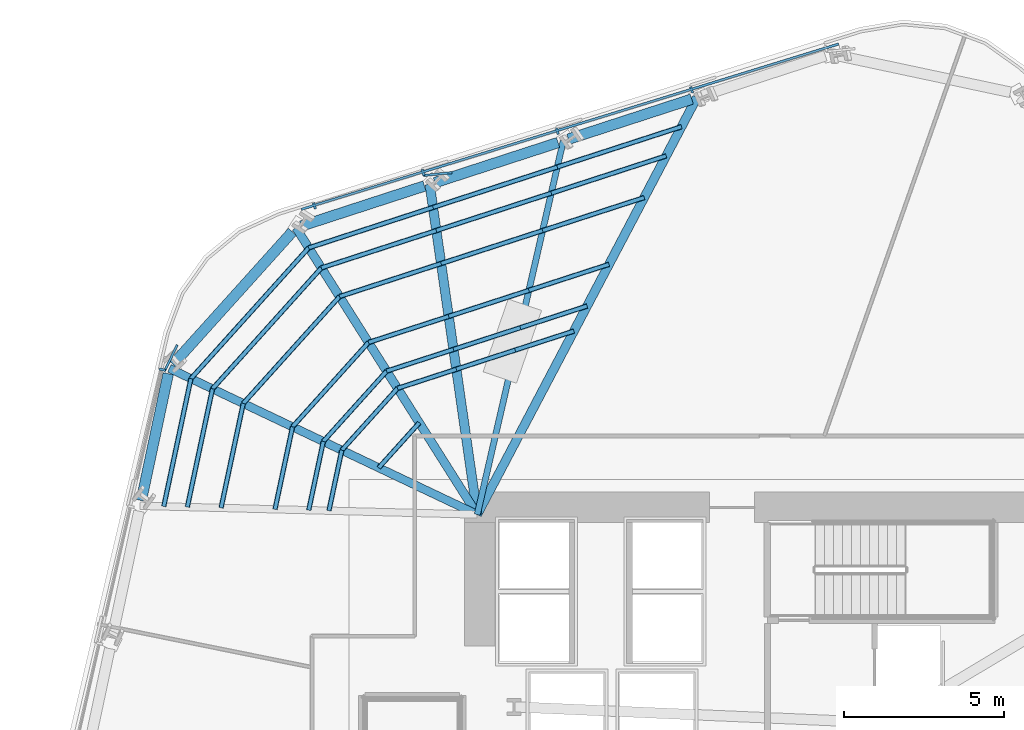
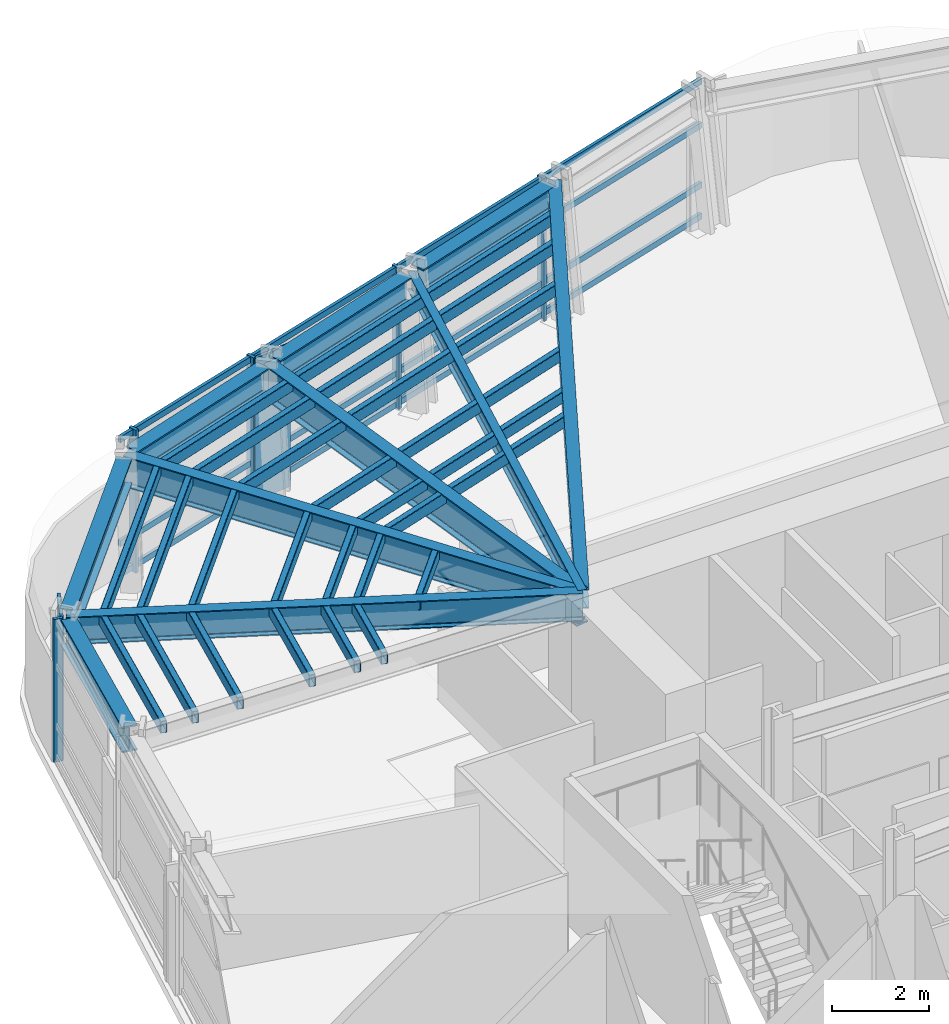
# One storey, part 6 of 16: 42 members, 10 beams, 2 elements without a shape of their own.
"""IFC4 building model written with IfcOpenShell, lengths in metres."""

from ifc_helpers import new_model, si_unit, direction, frame, origin, origin_2d, place, context, subcontext, project, spatial, rectangle, hollow_rectangle, i_section, extrude, material, layer, layer_set, material_profile, profile_set, type_object, element, aggregate, save


model = new_model("IFC4")

# Units and contexts
model_context = context("Model", 3, precision=1e-05, world=origin(), true_north=direction((0.0, 1.0)))
body_context = subcontext(model_context, "Body", "Model", "MODEL_VIEW")
ifc_project = project(units=[si_unit("LENGTHUNIT", "METRE"), si_unit("AREAUNIT", "SQUARE_METRE"), si_unit("VOLUMEUNIT", "CUBIC_METRE"), si_unit("PLANEANGLEUNIT", "RADIAN"), si_unit("MASSUNIT", "GRAM", prefix="KILO")], contexts=[model_context])

# Site, building, storey
site_placement = place(None, origin())
site = spatial("IfcSite", under=ifc_project, at=site_placement, CompositionType="ELEMENT")
building_placement = place(site_placement, origin())
building = spatial("IfcBuilding", under=site, at=building_placement, Name="Valkerne Bourse Tower", CompositionType="ELEMENT")
storey_placement = place(building_placement, frame((0.0, 0.0, 97.199951171875)))
storey = spatial("IfcBuildingStorey", under=building, at=storey_placement, Name="L24", CompositionType="ELEMENT", Elevation=97.199951171875)

# Beams
ifc_material_1 = material(Name="Steel ASTM A992", Category="steel")
ifc_material_profile_1 = material_profile(ifc_material_1, i_section(OverallWidth=0.1904296875, OverallDepth=0.457275390625, WebThickness=0.009033203125, FlangeThickness=0.014404296875, FilletRadius=0.01513671875, at=origin_2d()), Name="W18X50")
ifc_profile_set_1 = profile_set([ifc_material_profile_1], Name="Steel ASTM A992")
beam_type_1 = type_object("IfcBeamType", Name="BM-W18X50", PredefinedType="JOIST", material=ifc_profile_set_1)
beam_1_placement = place(storey_placement, frame((40.283447265625, 47.0556640625, 3.3515625), z_axis=(-0.224348144007, -0.974509061159, 0.0), x_axis=(0.974509061159, -0.224348144007, 0.0)))
element("IfcBeam", 1, at=beam_1_placement, inside=storey, type_object=beam_type_1, Name="L24 Radial Composite Floor Beam 07", PredefinedType="JOIST", context=body_context, shape_type="SweptSolid", body=[
    extrude(i_section(OverallWidth=0.1904296875, OverallDepth=0.457275390625, WebThickness=0.009033203125, FlangeThickness=0.014404296875, FilletRadius=0.01513671875, at=origin_2d()), origin(), (0.0, 0.0, 1.0), 11.960693359375),
])
ifc_material_profile_2 = material_profile(ifc_material_1, i_section(OverallWidth=0.279296875, OverallDepth=0.46240234375, WebThickness=0.0107421875, FlangeThickness=0.017333984375, FilletRadius=0.017822265625, at=origin_2d()), Name="W18X76")
ifc_profile_set_2 = profile_set([ifc_material_profile_2], Name="Steel ASTM A992")
beam_type_2 = type_object("IfcBeamType", Name="BM-W18X76", PredefinedType="BEAM", material=ifc_profile_set_2)
beam_2_placement = place(storey_placement, frame((44.451904296875, 48.409912109375, 3.348876953125), z_axis=(-0.465982505574, -0.884793933353, 0.0), x_axis=(0.884793933353, -0.465982505574, 0.0)))
element("IfcBeam", 2, at=beam_2_placement, inside=storey, type_object=beam_type_2, Name="L24 Radial Composite Floor Beam 06", PredefinedType="BEAM", context=body_context, shape_type="SweptSolid", body=[
    extrude(i_section(OverallWidth=0.279296875, OverallDepth=0.46240234375, WebThickness=0.0107421875, FlangeThickness=0.017333984375, FilletRadius=0.017822265625, at=origin_2d()), origin(), (0.0, 0.0, 1.0), 14.7041015625),
])
ifc_material_profile_3 = material_profile(ifc_material_1, i_section(OverallWidth=0.330078125, OverallDepth=0.647705078125, WebThickness=0.0205078125, FlangeThickness=0.037109375, FilletRadius=0.020263671875, at=origin_2d()), Name="W24X192")
ifc_profile_set_3 = profile_set([ifc_material_profile_3], Name="Steel ASTM A992")
beam_type_3 = type_object("IfcBeamType", Name="BM-W24X192", PredefinedType="SPANDREL", material=ifc_profile_set_3)
beam_3_placement = place(storey_placement, frame((44.290283203125, 48.357421875, 3.25634765625), z_axis=(-0.951059361148, -0.309008238681, 0.0), x_axis=(0.309008238681, -0.951059361148, 0.0)))
element("IfcBeam", 3, at=beam_3_placement, inside=storey, type_object=beam_type_3, Name="L24 Hexagonal Spandrel Ring Beam 06", PredefinedType="SPANDREL", context=body_context, shape_type="SweptSolid", body=[
    extrude(i_section(OverallWidth=0.330078125, OverallDepth=0.647705078125, WebThickness=0.0205078125, FlangeThickness=0.037109375, FilletRadius=0.020263671875, at=origin_2d()), origin(), (0.0, 0.0, 1.0), 4.042724609375),
])
beam_4_placement = place(storey_placement, frame((40.121826171875, 47.003173828125, 3.25634765625), z_axis=(-0.951041612609, -0.309062859441, 0.0), x_axis=(0.309062859441, -0.951041612609, 0.0)))
element("IfcBeam", 4, at=beam_4_placement, inside=storey, type_object=beam_type_3, Name="L24 Hexagonal Spandrel Ring Beam 07", PredefinedType="SPANDREL", context=body_context, shape_type="SweptSolid", body=[
    extrude(i_section(OverallWidth=0.330078125, OverallDepth=0.647705078125, WebThickness=0.0205078125, FlangeThickness=0.037109375, FilletRadius=0.020263671875, at=origin_2d()), origin(), (0.0, 0.0, 1.0), 4.04296875),
])
beam_5_placement = place(storey_placement, frame((35.953369140625, 45.648681640625, 3.25634765625), z_axis=(-0.951059361148, -0.309008238681, 0.0), x_axis=(0.309008238681, -0.951059361148, 0.0)))
element("IfcBeam", 5, at=beam_5_placement, inside=storey, type_object=beam_type_3, Name="L24 Hexagonal Spandrel Ring Beam 08", PredefinedType="SPANDREL", context=body_context, shape_type="SweptSolid", body=[
    extrude(i_section(OverallWidth=0.330078125, OverallDepth=0.647705078125, WebThickness=0.0205078125, FlangeThickness=0.037109375, FilletRadius=0.020263671875, at=origin_2d()), origin(), (0.0, 0.0, 1.0), 4.042724609375),
])
beam_6_placement = place(storey_placement, frame((31.832763671875, 44.220458984375, 3.25634765625), z_axis=(-0.669105316008, -0.743167596232, 0.0), x_axis=(0.743167596232, -0.669105316008, 0.0)))
element("IfcBeam", 6, at=beam_6_placement, inside=storey, type_object=beam_type_3, Name="L24 Hexagonal Spandrel Ring Beam 09", PredefinedType="SPANDREL", context=body_context, shape_type="SweptSolid", body=[
    extrude(i_section(OverallWidth=0.330078125, OverallDepth=0.647705078125, WebThickness=0.0205078125, FlangeThickness=0.037109375, FilletRadius=0.020263671875, at=origin_2d()), origin(), (0.0, 0.0, 1.0), 5.564453125),
])
beam_7_placement = place(storey_placement, frame((27.96044921875, 39.79248046875, 3.25634765625), z_axis=(-0.207969975531, -0.978135210121, 0.0), x_axis=(0.978135210121, -0.207969975531, 0.0)))
element("IfcBeam", 7, at=beam_7_placement, inside=storey, type_object=beam_type_3, Name="L24 Hexagonal Spandrel Ring Beam 10", PredefinedType="SPANDREL", context=body_context, shape_type="SweptSolid", body=[
    extrude(i_section(OverallWidth=0.330078125, OverallDepth=0.647705078125, WebThickness=0.0205078125, FlangeThickness=0.037109375, FilletRadius=0.020263671875, at=origin_2d()), origin(), (0.0, 0.0, 1.0), 4.04296875),
])
ifc_material_profile_4 = material_profile(ifc_material_1, i_section(OverallWidth=0.255859375, OverallDepth=0.693359375, WebThickness=0.014404296875, FlangeThickness=0.023681640625, FilletRadius=0.02294921875, at=origin_2d()), Name="W27X114")
ifc_profile_set_4 = profile_set([ifc_material_profile_4], Name="Steel ASTM A992")
beam_type_4 = type_object("IfcBeamType", Name="BM-W27X114", PredefinedType="BEAM", material=ifc_profile_set_4)
beam_8_placement = place(storey_placement, frame((27.99560546875, 39.958740234375, 3.2333984375), z_axis=(0.903397616332, -0.428803855866, 0.0), x_axis=(0.428803855866, 0.903397616332, 0.0)))
element("IfcBeam", 8, at=beam_8_placement, inside=storey, type_object=beam_type_4, Name="L24 Radial Composite Floor Beam 10", PredefinedType="BEAM", context=body_context, shape_type="SweptSolid", body=[
    extrude(i_section(OverallWidth=0.255859375, OverallDepth=0.693359375, WebThickness=0.014404296875, FlangeThickness=0.023681640625, FilletRadius=0.02294921875, at=origin_2d()), origin(), (0.0, 0.0, 1.0), 10.631591796875),
])
ifc_material_profile_5 = material_profile(ifc_material_1, i_section(OverallWidth=0.26806640625, OverallDepth=0.76953125, WebThickness=0.015625, FlangeThickness=0.025390625, FilletRadius=0.025390625, at=origin_2d()), Name="W30X132")
ifc_profile_set_5 = profile_set([ifc_material_profile_5], Name="Steel ASTM A992")
beam_type_5 = type_object("IfcBeamType", Name="BM-W30X132", PredefinedType="BEAM", material=ifc_profile_set_5)
beam_9_placement = place(storey_placement, frame((31.946533203125, 44.3466796875, 3.1953125), z_axis=(0.534193465342, -0.845362254649, 0.0), x_axis=(0.845362254649, 0.534193465342, 0.0)))
element("IfcBeam", 9, at=beam_9_placement, inside=storey, type_object=beam_type_5, Name="L24 Radial Composite Floor Beam 09", PredefinedType="BEAM", context=body_context, shape_type="SweptSolid", body=[
    extrude(i_section(OverallWidth=0.26806640625, OverallDepth=0.76953125, WebThickness=0.015625, FlangeThickness=0.025390625, FilletRadius=0.025390625, at=origin_2d()), origin(), (0.0, 0.0, 1.0), 10.583251953125),
])
ifc_material_profile_6 = material_profile(ifc_material_1, i_section(OverallWidth=0.2919921875, OverallDepth=0.8583984375, WebThickness=0.01708984375, FlangeThickness=0.031005859375, FilletRadius=0.025390625, at=origin_2d()), Name="W33X169")
ifc_profile_set_6 = profile_set([ifc_material_profile_6], Name="Steel ASTM A992")
beam_type_6 = type_object("IfcBeamType", Name="BM-W33X169", PredefinedType="BEAM", material=ifc_profile_set_6)
beam_10_placement = place(storey_placement, frame((36.114990234375, 45.701171875, 3.15087890625), z_axis=(0.142692168788, -0.989767116531, 0.0), x_axis=(0.989767116531, 0.142692168788, 0.0)))
element("IfcBeam", 10, at=beam_10_placement, inside=storey, type_object=beam_type_6, Name="L24 Radial Composite Floor Beam 08", PredefinedType="BEAM", context=body_context, shape_type="SweptSolid", body=[
    extrude(i_section(OverallWidth=0.2919921875, OverallDepth=0.8583984375, WebThickness=0.01708984375, FlangeThickness=0.031005859375, FilletRadius=0.025390625, at=origin_2d()), origin(), (0.0, 0.0, 1.0), 10.40771484375),
])

# Curtain wall, members
ifc_material_2 = material(Name="Aluminium AA 6063-T6", Category="aluminium")
ifc_layer = layer(ifc_material_2, 0.22998046875)
ifc_layer_set = layer_set([ifc_layer], Name="Aluminium AA 6063-T6")
curtain_wall_type = type_object("IfcCurtainWallType", Name="CW-02", PredefinedType="NOTDEFINED", material=ifc_layer_set)
curtain_wall_1_placement = place(storey_placement, origin())
curtain_wall_1 = element("IfcCurtainWall", 11, at=curtain_wall_1_placement, inside=storey, type_object=curtain_wall_type, Name="L24 Hexagonal Stick Curtain Wall Face 2", PredefinedType="NOTDEFINED")
ifc_material_profile_7 = material_profile(ifc_material_2, rectangle(XDim=0.074951171875, YDim=0.199951171875, at=origin_2d()), Name="CWM-75X200")
ifc_profile_set_7 = profile_set([ifc_material_profile_7], Name="Aluminium AA 6063-T6")
member_type_1 = type_object("IfcMemberType", Name="CW-MUL-220X75", PredefinedType="MULLION", material=ifc_profile_set_7)
member_1_placement = place(storey_placement, frame((44.287109375, 48.645751953125, 0.0), z_axis=(0.0, 0.0, 1.0), x_axis=(-0.955790847392, -0.294047370405, 0.0)))
member_1 = element("IfcMember", 12, at=member_1_placement, type_object=member_type_1, Name="CW-L24-F2 Jamb Mullion 01A", PredefinedType="MULLION", context=body_context, shape_type="SweptSolid", body=[
    extrude(rectangle(XDim=0.074951171875, YDim=0.199951171875, at=origin_2d()), origin(), (0.0, 0.0, 1.0), 3.580078125),
])
member_2_placement = place(storey_placement, frame((40.097900390625, 47.35693359375, 0.0), z_axis=(0.0, 0.0, 1.0), x_axis=(-0.95579282005, -0.294040958271, 0.0)))
member_2 = element("IfcMember", 13, at=member_2_placement, type_object=member_type_1, Name="CW-L24-F2 Jamb Mullion 02A", PredefinedType="MULLION", context=body_context, shape_type="SweptSolid", body=[
    extrude(rectangle(XDim=0.074951171875, YDim=0.199951171875, at=origin_2d()), origin(), (0.0, 0.0, 1.0), 3.580078125),
])
member_3_placement = place(storey_placement, frame((35.90869140625, 46.068115234375, 0.0), z_axis=(0.0, 0.0, 1.0), x_axis=(-0.955790847392, -0.294047370405, 0.0)))
member_3 = element("IfcMember", 14, at=member_3_placement, type_object=member_type_1, Name="CW-L24-F2 Jamb Mullion 03A", PredefinedType="MULLION", context=body_context, shape_type="SweptSolid", body=[
    extrude(rectangle(XDim=0.074951171875, YDim=0.199951171875, at=origin_2d()), origin(), (0.0, 0.0, 1.0), 3.580078125),
])
member_4_placement = place(storey_placement, frame((32.5224609375, 45.0263671875, 0.0), z_axis=(0.0, 0.0, 1.0), x_axis=(-0.955790847392, -0.294047370405, 0.0)))
member_4 = element("IfcMember", 15, at=member_4_placement, type_object=member_type_1, Name="CW-L24-F2 Jamb Mullion 03B", PredefinedType="MULLION", context=body_context, shape_type="SweptSolid", body=[
    extrude(rectangle(XDim=0.074951171875, YDim=0.199951171875, at=origin_2d()), origin(), (0.0, 0.0, 1.0), 3.580078125),
])

# Curtain wall, member
curtain_wall_2_placement = place(storey_placement, origin())
curtain_wall_2 = element("IfcCurtainWall", 16, at=curtain_wall_2_placement, inside=storey, type_object=curtain_wall_type, Name="L24 Hexagonal Stick Curtain Wall Face 3", PredefinedType="NOTDEFINED")
member_5_placement = place(storey_placement, frame((27.7763671875, 39.919189453125, 0.0), z_axis=(0.0, 0.0, 1.0), x_axis=(-0.22324789938, -0.974761701865, 0.0)))
member_5 = element("IfcMember", 17, at=member_5_placement, type_object=member_type_1, Name="CW-L24-F3 Jamb Mullion 00A", PredefinedType="MULLION", context=body_context, shape_type="SweptSolid", body=[
    extrude(rectangle(XDim=0.074951171875, YDim=0.199951171875, at=origin_2d()), origin(), (0.0, 0.0, 1.0), 3.580078125),
])
aggregate(curtain_wall_2, [member_5])

# Member
ifc_material_profile_8 = material_profile(ifc_material_2, rectangle(XDim=0.074951171875, YDim=0.14990234375, at=origin_2d()), Name="CWT-75X150")
ifc_profile_set_8 = profile_set([ifc_material_profile_8], Name="Aluminium AA 6063-T6")
member_type_2 = type_object("IfcMemberType", Name="CW-TRN-180X65", PredefinedType="USERDEFINED", material=ifc_profile_set_8)
member_6_placement = place(storey_placement, frame((48.871826171875, 50.0771484375, 0.1201171875), z_axis=(-0.95579376107, -0.294037899426, 0.0), x_axis=(0.294037899426, -0.95579376107, 0.0)))
member_6 = element("IfcMember", 18, at=member_6_placement, type_object=member_type_2, Name="CW-L24-F2 Continuous Face Transom 1", ObjectType="TRANSOM", PredefinedType="USERDEFINED", context=body_context, shape_type="SweptSolid", body=[
    extrude(rectangle(XDim=0.074951171875, YDim=0.14990234375, at=origin_2d()), origin(), (0.0, 0.0, 1.0), 17.53173828125),
])

member_7_placement = place(storey_placement, frame((48.871826171875, 50.0771484375, 0.900146484375), z_axis=(-0.95579376107, -0.294037899426, 0.0), x_axis=(0.294037899426, -0.95579376107, 0.0)))
member_7 = element("IfcMember", 19, at=member_7_placement, type_object=member_type_2, Name="CW-L24-F2 Continuous Face Transom 2", ObjectType="TRANSOM", PredefinedType="USERDEFINED", context=body_context, shape_type="SweptSolid", body=[
    extrude(rectangle(XDim=0.074951171875, YDim=0.14990234375, at=origin_2d()), origin(), (0.0, 0.0, 1.0), 17.53173828125),
])

member_8_placement = place(storey_placement, frame((48.871826171875, 50.0771484375, 2.400146484375), z_axis=(-0.95579376107, -0.294037899426, 0.0), x_axis=(0.294037899426, -0.95579376107, 0.0)))
member_8 = element("IfcMember", 20, at=member_8_placement, type_object=member_type_2, Name="CW-L24-F2 Continuous Face Transom 3", ObjectType="TRANSOM", PredefinedType="USERDEFINED", context=body_context, shape_type="SweptSolid", body=[
    extrude(rectangle(XDim=0.074951171875, YDim=0.14990234375, at=origin_2d()), origin(), (0.0, 0.0, 1.0), 17.53173828125),
])

member_9_placement = place(storey_placement, frame((48.871826171875, 50.0771484375, 3.5), z_axis=(-0.95579376107, -0.294037899426, 0.0), x_axis=(0.294037899426, -0.95579376107, 0.0)))
member_9 = element("IfcMember", 21, at=member_9_placement, type_object=member_type_2, Name="CW-L24-F2 Continuous Face Transom 4", ObjectType="TRANSOM", PredefinedType="USERDEFINED", context=body_context, shape_type="SweptSolid", body=[
    extrude(rectangle(XDim=0.074951171875, YDim=0.14990234375, at=origin_2d()), origin(), (0.0, 0.0, 1.0), 17.53173828125),
])

aggregate(curtain_wall_1, [member_6, member_7, member_8, member_9, member_1, member_2, member_3, member_4])

# Members
ifc_material_3 = material(Name="Bronze Anodised Aluminium AA 6063-T6", Category="aluminium")
ifc_material_profile_9 = material_profile(ifc_material_3, rectangle(XDim=0.070068359375, YDim=0.89990234375, at=origin_2d()), Name="FIN-70X900")
ifc_profile_set_9 = profile_set([ifc_material_profile_9], Name="Bronze Anodised Aluminium AA 6063-T6")
member_type_3 = type_object("IfcMemberType", Name="FIN-SOLAR-900", PredefinedType="USERDEFINED", material=ifc_profile_set_9)
for number, where, z_axis, x_axis, name in (
    (22, (36.363037109375, 46.01953125, 0.004150390625), (0.0, 0.0, 1.0), (-0.102875437059, 0.994694246716, 0.0), "L24 Bronze Anodised Solar Fin F2-03"),
    (23, (28.04541015625, 40.288330078125, 0.004150390625), (0.0, 0.0, 1.0), (-0.900490693256, 0.434875282535, 0.0), "L24 Bronze Anodised Solar Fin F3-00"),
):
    element("IfcMember", number, at=place(storey_placement, frame(where, z_axis=z_axis, x_axis=x_axis)), inside=storey, type_object=member_type_3, Name=name, ObjectType="SOLAR_FIN", PredefinedType="USERDEFINED", context=body_context, shape_type="SweptSolid", body=[
        extrude(rectangle(XDim=0.070068359375, YDim=0.89990234375, at=origin_2d()), origin(), (0.0, 0.0, 1.0), 3.57177734375),
    ])
ifc_material_4 = material(Name="Steel ASTM A500 Grade C", Category="steel")
ifc_material_profile_10 = material_profile(ifc_material_4, hollow_rectangle(XDim=0.14990234375, YDim=0.300048828125, WallThickness=0.012451171875, OuterFilletRadius=0.02490234375, at=origin_2d()), Name="HSS300X150X12.5")
ifc_profile_set_10 = profile_set([ifc_material_profile_10], Name="Steel ASTM A500 Grade C")
member_type_4 = type_object("IfcMemberType", Name="MBR-HSS300X150X12.5", PredefinedType="PURLIN", material=ifc_profile_set_10)
member_10_placement = place(storey_placement, frame((35.791015625, 38.262939453125, 3.420166015625), z_axis=(-0.669186003319, -0.743094942091, 0.0), x_axis=(0.743094942091, -0.669186003319, 0.0)))
element("IfcMember", 24, at=member_10_placement, inside=storey, type_object=member_type_4, Name="L24 Secondary Composite Floor Purlin I-09", PredefinedType="PURLIN", context=body_context, shape_type="SweptSolid", body=[
    extrude(hollow_rectangle(XDim=0.14990234375, YDim=0.300048828125, WallThickness=0.012451171875, OuterFilletRadius=0.02490234375, at=origin_2d()), origin(), (0.0, 0.0, 1.0), 1.889404296875),
])
for number, where, z_axis, x_axis, name in (
    (25, (40.614990234375, 41.12451171875, 3.420166015625), (-0.951061043032, -0.309003062164, 0.0), (0.309003062164, -0.951061043032, 0.0), "L24 Secondary Composite Floor Purlin K-06"),
    (26, (38.78076171875, 40.528564453125, 3.420166015625), (-0.951061043032, -0.309003062164, 0.0), (0.309003062164, -0.951061043032, 0.0), "L24 Secondary Composite Floor Purlin K-07"),
):
    element("IfcMember", number, at=place(storey_placement, frame(where, z_axis=z_axis, x_axis=x_axis)), inside=storey, type_object=member_type_4, Name=name, PredefinedType="PURLIN", context=body_context, shape_type="SweptSolid", body=[
        extrude(hollow_rectangle(XDim=0.14990234375, YDim=0.300048828125, WallThickness=0.012451171875, OuterFilletRadius=0.02490234375, at=origin_2d()), origin(), (0.0, 0.0, 1.0), 1.9287109375),
    ])
member_11_placement = place(storey_placement, frame((36.946533203125, 39.9326171875, 3.420166015625), z_axis=(-0.951048953792, -0.309040268398, 0.0), x_axis=(0.309040268398, -0.951048953792, 0.0)))
element("IfcMember", 27, at=member_11_placement, inside=storey, type_object=member_type_4, Name="L24 Secondary Composite Floor Purlin K-08", PredefinedType="PURLIN", context=body_context, shape_type="SweptSolid", body=[
    extrude(hollow_rectangle(XDim=0.14990234375, YDim=0.300048828125, WallThickness=0.012451171875, OuterFilletRadius=0.02490234375, at=origin_2d()), origin(), (0.0, 0.0, 1.0), 1.928466796875),
])
member_12_placement = place(storey_placement, frame((35.112548828125, 39.336669921875, 3.420166015625), z_axis=(-0.66916199362, -0.74311656306, 0.0), x_axis=(0.74311656306, -0.66916199362, 0.0)))
element("IfcMember", 28, at=member_12_placement, inside=storey, type_object=member_type_4, Name="L24 Secondary Composite Floor Purlin K-09", PredefinedType="PURLIN", context=body_context, shape_type="SweptSolid", body=[
    extrude(hollow_rectangle(XDim=0.14990234375, YDim=0.300048828125, WallThickness=0.012451171875, OuterFilletRadius=0.02490234375, at=origin_2d()), origin(), (0.0, 0.0, 1.0), 2.59814453125),
])
member_13_placement = place(storey_placement, frame((33.3740234375, 37.406005859375, 3.420166015625), z_axis=(-0.207860269824, -0.978158529191, 0.0), x_axis=(0.978158529191, -0.207860269824, 0.0)))
element("IfcMember", 29, at=member_13_placement, inside=storey, type_object=member_type_4, Name="L24 Secondary Composite Floor Purlin K-10", PredefinedType="PURLIN", context=body_context, shape_type="SweptSolid", body=[
    extrude(hollow_rectangle(XDim=0.14990234375, YDim=0.300048828125, WallThickness=0.012451171875, OuterFilletRadius=0.02490234375, at=origin_2d()), origin(), (0.0, 0.0, 1.0), 1.9287109375),
])
member_14_placement = place(storey_placement, frame((41.02587890625, 41.905029296875, 3.420166015625), z_axis=(-0.951051259539, -0.309033172539, 0.0), x_axis=(0.309033172539, -0.951051259539, 0.0)))
element("IfcMember", 30, at=member_14_placement, inside=storey, type_object=member_type_4, Name="L24 Secondary Composite Floor Purlin M-06", PredefinedType="PURLIN", context=body_context, shape_type="SweptSolid", body=[
    extrude(hollow_rectangle(XDim=0.14990234375, YDim=0.300048828125, WallThickness=0.012451171875, OuterFilletRadius=0.02490234375, at=origin_2d()), origin(), (0.0, 0.0, 1.0), 2.19140625),
])
member_15_placement = place(storey_placement, frame((38.941650390625, 41.227783203125, 3.420166015625), z_axis=(-0.951040618651, -0.309065918011, 0.0), x_axis=(0.309065918011, -0.951040618651, 0.0)))
element("IfcMember", 31, at=member_15_placement, inside=storey, type_object=member_type_4, Name="L24 Secondary Composite Floor Purlin M-07", PredefinedType="PURLIN", context=body_context, shape_type="SweptSolid", body=[
    extrude(hollow_rectangle(XDim=0.14990234375, YDim=0.300048828125, WallThickness=0.012451171875, OuterFilletRadius=0.02490234375, at=origin_2d()), origin(), (0.0, 0.0, 1.0), 2.191162109375),
])
member_16_placement = place(storey_placement, frame((36.857666015625, 40.550537109375, 3.420166015625), z_axis=(-0.951061897045, -0.309000433638, 0.0), x_axis=(0.309000433638, -0.951061897045, 0.0)))
element("IfcMember", 32, at=member_16_placement, inside=storey, type_object=member_type_4, Name="L24 Secondary Composite Floor Purlin M-08", PredefinedType="PURLIN", context=body_context, shape_type="SweptSolid", body=[
    extrude(hollow_rectangle(XDim=0.14990234375, YDim=0.300048828125, WallThickness=0.012451171875, OuterFilletRadius=0.02490234375, at=origin_2d()), origin(), (0.0, 0.0, 1.0), 2.191650390625),
])
member_17_placement = place(storey_placement, frame((34.773193359375, 39.873291015625, 3.420166015625), z_axis=(-0.669129202291, -0.743146089703, 0.0), x_axis=(0.743146089703, -0.669129202291, 0.0)))
element("IfcMember", 33, at=member_17_placement, inside=storey, type_object=member_type_4, Name="L24 Secondary Composite Floor Purlin M-09", PredefinedType="PURLIN", context=body_context, shape_type="SweptSolid", body=[
    extrude(hollow_rectangle(XDim=0.14990234375, YDim=0.300048828125, WallThickness=0.012451171875, OuterFilletRadius=0.02490234375, at=origin_2d()), origin(), (0.0, 0.0, 1.0), 2.9521484375),
])
member_18_placement = place(storey_placement, frame((32.7978515625, 37.679443359375, 3.420166015625), z_axis=(-0.207885404143, -0.97815318777, 0.0), x_axis=(0.97815318777, -0.207885404143, 0.0)))
element("IfcMember", 34, at=member_18_placement, inside=storey, type_object=member_type_4, Name="L24 Secondary Composite Floor Purlin M-10", PredefinedType="PURLIN", context=body_context, shape_type="SweptSolid", body=[
    extrude(hollow_rectangle(XDim=0.14990234375, YDim=0.300048828125, WallThickness=0.012451171875, OuterFilletRadius=0.02490234375, at=origin_2d()), origin(), (0.0, 0.0, 1.0), 2.19140625),
])
member_19_placement = place(storey_placement, frame((42.8076171875, 45.28759765625, 3.420166015625), z_axis=(-0.951066916895, -0.308984982787, 0.0), x_axis=(0.308984982787, -0.951066916895, 0.0)))
element("IfcMember", 35, at=member_19_placement, inside=storey, type_object=member_type_4, Name="L24 Secondary Composite Floor Purlin O-06", PredefinedType="PURLIN", context=body_context, shape_type="SweptSolid", body=[
    extrude(hollow_rectangle(XDim=0.14990234375, YDim=0.300048828125, WallThickness=0.012451171875, OuterFilletRadius=0.02490234375, at=origin_2d()), origin(), (0.0, 0.0, 1.0), 3.331298828125),
])
for number, where, z_axis, x_axis, name in (
    (36, (39.639404296875, 44.25830078125, 3.420166015625), (-0.951059919169, -0.30900652121, 0.0), (0.30900652121, -0.951059919169, 0.0), "L24 Secondary Composite Floor Purlin O-07"),
    (37, (36.471435546875, 43.22900390625, 3.420166015625), (-0.951059919169, -0.30900652121, 0.0), (0.30900652121, -0.951059919169, 0.0), "L24 Secondary Composite Floor Purlin O-08"),
):
    element("IfcMember", number, at=place(storey_placement, frame(where, z_axis=z_axis, x_axis=x_axis)), inside=storey, type_object=member_type_4, Name=name, PredefinedType="PURLIN", context=body_context, shape_type="SweptSolid", body=[
        extrude(hollow_rectangle(XDim=0.14990234375, YDim=0.300048828125, WallThickness=0.012451171875, OuterFilletRadius=0.02490234375, at=origin_2d()), origin(), (0.0, 0.0, 1.0), 3.3310546875),
    ])
member_20_placement = place(storey_placement, frame((33.303466796875, 42.19970703125, 3.420166015625), z_axis=(-0.669115005288, -0.743158872448, 0.0), x_axis=(0.743158872448, -0.669115005288, 0.0)))
element("IfcMember", 38, at=member_20_placement, inside=storey, type_object=member_type_4, Name="L24 Secondary Composite Floor Purlin O-09", PredefinedType="PURLIN", context=body_context, shape_type="SweptSolid", body=[
    extrude(hollow_rectangle(XDim=0.14990234375, YDim=0.300048828125, WallThickness=0.012451171875, OuterFilletRadius=0.02490234375, at=origin_2d()), origin(), (0.0, 0.0, 1.0), 4.487548828125),
])
member_21_placement = place(storey_placement, frame((30.30078125, 38.86474609375, 3.420166015625), z_axis=(-0.207927126828, -0.978144319581, 0.0), x_axis=(0.978144319581, -0.207927126828, 0.0)))
element("IfcMember", 39, at=member_21_placement, inside=storey, type_object=member_type_4, Name="L24 Secondary Composite Floor Purlin O-10", PredefinedType="PURLIN", context=body_context, shape_type="SweptSolid", body=[
    extrude(hollow_rectangle(XDim=0.14990234375, YDim=0.300048828125, WallThickness=0.012451171875, OuterFilletRadius=0.02490234375, at=origin_2d()), origin(), (0.0, 0.0, 1.0), 3.3310546875),
])
member_22_placement = place(storey_placement, frame((41.711181640625, 43.2060546875, 3.420166015625), z_axis=(-0.951042255439, -0.309060881331, 0.0), x_axis=(0.309060881331, -0.951042255439, 0.0)))
element("IfcMember", 40, at=member_22_placement, inside=storey, type_object=member_type_4, Name="L24 Secondary Composite Floor Purlin Z-06", PredefinedType="PURLIN", context=body_context, shape_type="SweptSolid", body=[
    extrude(hollow_rectangle(XDim=0.14990234375, YDim=0.300048828125, WallThickness=0.012451171875, OuterFilletRadius=0.02490234375, at=origin_2d()), origin(), (0.0, 0.0, 1.0), 2.629638671875),
])
member_23_placement = place(storey_placement, frame((39.210205078125, 42.393310546875, 3.420166015625), z_axis=(-0.951078402777, -0.308949626593, 0.0), x_axis=(0.308949626593, -0.951078402777, 0.0)))
element("IfcMember", 41, at=member_23_placement, inside=storey, type_object=member_type_4, Name="L24 Secondary Composite Floor Purlin Z-07", PredefinedType="PURLIN", context=body_context, shape_type="SweptSolid", body=[
    extrude(hollow_rectangle(XDim=0.14990234375, YDim=0.300048828125, WallThickness=0.012451171875, OuterFilletRadius=0.02490234375, at=origin_2d()), origin(), (0.0, 0.0, 1.0), 2.6298828125),
])
member_24_placement = place(storey_placement, frame((36.708984375, 41.580810546875, 3.420166015625), z_axis=(-0.951042255439, -0.309060881331, 0.0), x_axis=(0.309060881331, -0.951042255439, 0.0)))
element("IfcMember", 42, at=member_24_placement, inside=storey, type_object=member_type_4, Name="L24 Secondary Composite Floor Purlin Z-08", PredefinedType="PURLIN", context=body_context, shape_type="SweptSolid", body=[
    extrude(hollow_rectangle(XDim=0.14990234375, YDim=0.300048828125, WallThickness=0.012451171875, OuterFilletRadius=0.02490234375, at=origin_2d()), origin(), (0.0, 0.0, 1.0), 2.629638671875),
])
member_25_placement = place(storey_placement, frame((34.2080078125, 40.76806640625, 3.420166015625), z_axis=(-0.669132234694, -0.743143359314, 0.0), x_axis=(0.743143359314, -0.669132234694, 0.0)))
element("IfcMember", 43, at=member_25_placement, inside=storey, type_object=member_type_4, Name="L24 Secondary Composite Floor Purlin Z-09", PredefinedType="PURLIN", context=body_context, shape_type="SweptSolid", body=[
    extrude(hollow_rectangle(XDim=0.14990234375, YDim=0.300048828125, WallThickness=0.012451171875, OuterFilletRadius=0.02490234375, at=origin_2d()), origin(), (0.0, 0.0, 1.0), 3.542724609375),
])
member_26_placement = place(storey_placement, frame((31.83740234375, 38.13525390625, 3.420166015625), z_axis=(-0.207956464076, -0.978138082813, 0.0), x_axis=(0.978138082813, -0.207956464076, 0.0)))
element("IfcMember", 44, at=member_26_placement, inside=storey, type_object=member_type_4, Name="L24 Secondary Composite Floor Purlin Z-10", PredefinedType="PURLIN", context=body_context, shape_type="SweptSolid", body=[
    extrude(hollow_rectangle(XDim=0.14990234375, YDim=0.300048828125, WallThickness=0.012451171875, OuterFilletRadius=0.02490234375, at=origin_2d()), origin(), (0.0, 0.0, 1.0), 2.629638671875),
])
member_27_placement = place(storey_placement, frame((43.49267578125, 46.588623046875, 3.420166015625), z_axis=(-0.951058816061, -0.309009916333, 0.0), x_axis=(0.309009916333, -0.951058816061, 0.0)))
element("IfcMember", 45, at=member_27_placement, inside=storey, type_object=member_type_4, Name="L24 Secondary Composite Floor Purlin T-06", PredefinedType="PURLIN", context=body_context, shape_type="SweptSolid", body=[
    extrude(hollow_rectangle(XDim=0.14990234375, YDim=0.300048828125, WallThickness=0.012451171875, OuterFilletRadius=0.02490234375, at=origin_2d()), origin(), (0.0, 0.0, 1.0), 3.76953125),
])
member_28_placement = place(storey_placement, frame((39.90771484375, 45.423828125, 3.420166015625), z_axis=(-0.951052630944, -0.309028952001, 0.0), x_axis=(0.309028952001, -0.951052630944, 0.0)))
element("IfcMember", 46, at=member_28_placement, inside=storey, type_object=member_type_4, Name="L24 Secondary Composite Floor Purlin T-07", PredefinedType="PURLIN", context=body_context, shape_type="SweptSolid", body=[
    extrude(hollow_rectangle(XDim=0.14990234375, YDim=0.300048828125, WallThickness=0.012451171875, OuterFilletRadius=0.02490234375, at=origin_2d()), origin(), (0.0, 0.0, 1.0), 3.769287109375),
])
member_29_placement = place(storey_placement, frame((36.322998046875, 44.259033203125, 3.420166015625), z_axis=(-0.951058816061, -0.309009916333, 0.0), x_axis=(0.309009916333, -0.951058816061, 0.0)))
element("IfcMember", 47, at=member_29_placement, inside=storey, type_object=member_type_4, Name="L24 Secondary Composite Floor Purlin T-08", PredefinedType="PURLIN", context=body_context, shape_type="SweptSolid", body=[
    extrude(hollow_rectangle(XDim=0.14990234375, YDim=0.300048828125, WallThickness=0.012451171875, OuterFilletRadius=0.02490234375, at=origin_2d()), origin(), (0.0, 0.0, 1.0), 3.76953125),
])
member_30_placement = place(storey_placement, frame((32.738037109375, 43.09423828125, 3.420166015625), z_axis=(-0.669116126904, -0.743157862582, 0.0), x_axis=(0.743157862582, -0.669116126904, 0.0)))
element("IfcMember", 48, at=member_30_placement, inside=storey, type_object=member_type_4, Name="L24 Secondary Composite Floor Purlin T-09", PredefinedType="PURLIN", context=body_context, shape_type="SweptSolid", body=[
    extrude(hollow_rectangle(XDim=0.14990234375, YDim=0.300048828125, WallThickness=0.012451171875, OuterFilletRadius=0.02490234375, at=origin_2d()), origin(), (0.0, 0.0, 1.0), 5.077880859375),
])
member_31_placement = place(storey_placement, frame((29.34033203125, 39.320556640625, 3.420166015625), z_axis=(-0.207909881655, -0.978147985281, 0.0), x_axis=(0.978147985281, -0.207909881655, 0.0)))
element("IfcMember", 49, at=member_31_placement, inside=storey, type_object=member_type_4, Name="L24 Secondary Composite Floor Purlin T-10", PredefinedType="PURLIN", context=body_context, shape_type="SweptSolid", body=[
    extrude(hollow_rectangle(XDim=0.14990234375, YDim=0.300048828125, WallThickness=0.012451171875, OuterFilletRadius=0.02490234375, at=origin_2d()), origin(), (0.0, 0.0, 1.0), 3.769287109375),
])
for number, where, z_axis, x_axis, name in (
    (50, (43.972412109375, 47.499267578125, 3.420166015625), (-0.951063554534, -0.308995332064, 0.0), (0.308995332064, -0.951063554534, 0.0), "L24 Secondary Composite Floor Purlin U-06"),
    (51, (40.095703125, 46.23974609375, 3.420166015625), (-0.951045951891, -0.309049506377, 0.0), (0.309049506377, -0.951045951891, 0.0), "L24 Secondary Composite Floor Purlin U-07"),
    (52, (36.218994140625, 44.97998046875, 3.420166015625), (-0.951063554534, -0.308995332064, 0.0), (0.308995332064, -0.951063554534, 0.0), "L24 Secondary Composite Floor Purlin U-08"),
):
    element("IfcMember", number, at=place(storey_placement, frame(where, z_axis=z_axis, x_axis=x_axis)), inside=storey, type_object=member_type_4, Name=name, PredefinedType="PURLIN", context=body_context, shape_type="SweptSolid", body=[
        extrude(hollow_rectangle(XDim=0.14990234375, YDim=0.300048828125, WallThickness=0.012451171875, OuterFilletRadius=0.02490234375, at=origin_2d()), origin(), (0.0, 0.0, 1.0), 4.076171875),
    ])
member_32_placement = place(storey_placement, frame((32.34228515625, 43.720458984375, 3.420166015625), z_axis=(-0.669124379502, -0.743150432118, 0.0), x_axis=(0.743150432118, -0.669124379502, 0.0)))
element("IfcMember", 53, at=member_32_placement, inside=storey, type_object=member_type_4, Name="L24 Secondary Composite Floor Purlin U-09", PredefinedType="PURLIN", context=body_context, shape_type="SweptSolid", body=[
    extrude(hollow_rectangle(XDim=0.14990234375, YDim=0.300048828125, WallThickness=0.012451171875, OuterFilletRadius=0.02490234375, at=origin_2d()), origin(), (0.0, 0.0, 1.0), 5.4912109375),
])
member_33_placement = place(storey_placement, frame((28.66796875, 39.6396484375, 3.420166015625), z_axis=(-0.207896721912, -0.978150782353, 0.0), x_axis=(0.978150782353, -0.207896721912, 0.0)))
element("IfcMember", 54, at=member_33_placement, inside=storey, type_object=member_type_4, Name="L24 Secondary Composite Floor Purlin U-10", PredefinedType="PURLIN", context=body_context, shape_type="SweptSolid", body=[
    extrude(hollow_rectangle(XDim=0.14990234375, YDim=0.300048828125, WallThickness=0.012451171875, OuterFilletRadius=0.02490234375, at=origin_2d()), origin(), (0.0, 0.0, 1.0), 4.076171875),
])

save(model, "model.ifc")
